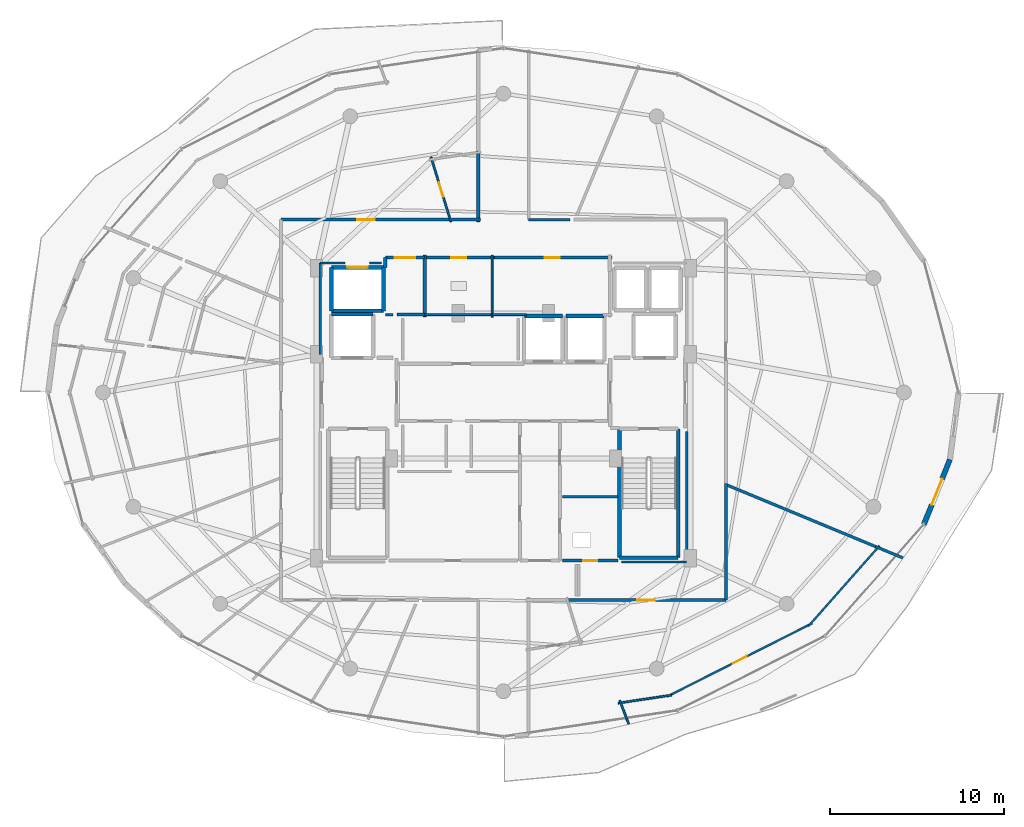
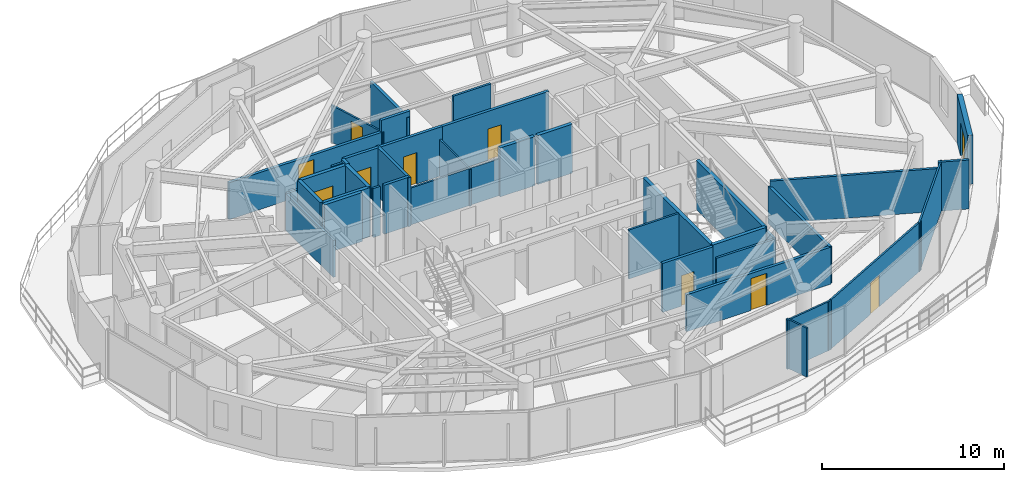
# One storey, part 24 of 30: 41 walls, 10 doors, 10 openings.
"""IFC4 building model written with IfcOpenShell, lengths in metres."""

from ifc_helpers import new_model, si_unit, direction, frame, frame_2d, origin, place, context, subcontext, project, spatial, rectangle, extrude, material, layer, layer_set, type_object, element, fill, save


model = new_model("IFC4")

# Units and contexts
model_context = context("Model", 3, precision=1e-05, world=origin(), true_north=direction((0.0, 1.0)))
body_context = subcontext(model_context, "Body", "Model", "MODEL_VIEW")
ifc_project = project(units=[si_unit("LENGTHUNIT", "METRE"), si_unit("AREAUNIT", "SQUARE_METRE"), si_unit("VOLUMEUNIT", "CUBIC_METRE"), si_unit("PLANEANGLEUNIT", "RADIAN"), si_unit("MASSUNIT", "GRAM", prefix="KILO")], contexts=[model_context])

# Site, building, storey
site_placement = place(None, origin())
site = spatial("IfcSite", under=ifc_project, at=site_placement, CompositionType="ELEMENT")
building_placement = place(site_placement, origin())
building = spatial("IfcBuilding", under=site, at=building_placement, Name="Vorneva Point Tower", CompositionType="ELEMENT")
storey_placement = place(building_placement, frame((0.0, 0.0, 241.35009765625)))
storey = spatial("IfcBuildingStorey", under=building, at=storey_placement, Name="L65", CompositionType="ELEMENT", Elevation=241.35009765625)

# Wall
ifc_material_1 = material(Name="Concrete B60 (C50/60)", Category="concrete")
ifc_layer_1 = layer(ifc_material_1, 0.35009765625)
ifc_layer_set_1 = layer_set([ifc_layer_1], Name="Concrete B60 (C50/60)")
wall_type_1 = type_object("IfcWallType", Name="WL-CORE-350", PredefinedType="SHEAR", material=ifc_layer_set_1)
wall_1_placement = place(storey_placement, frame((30.5, 30.5, 0.0), z_axis=(0.0, 0.0, 1.0), x_axis=(-1.0, 0.0, 0.0)))
element("IfcWall", 1, at=wall_1_placement, inside=storey, type_object=wall_type_1, Name="L65 Lift FFL1 Shaft Wall +Y", PredefinedType="SHEAR", context=body_context, shape_type="SweptSolid", body=[
    extrude(rectangle(XDim=2.39990234375, YDim=0.219970703125, at=frame_2d((1.199951171875, 0.0))), origin(), (0.0, 0.0, 1.0), 3.289794921875),
])

# Wall, opening, door
ifc_material_2 = material(Name="Precast concrete B50 (C40/50)", Category="concrete")
ifc_layer_2 = layer(ifc_material_2, 0.300048828125)
ifc_layer_set_2 = layer_set([ifc_layer_2], Name="Precast concrete B50 (C40/50)")
wall_type_2 = type_object("IfcWallType", Name="WL-EXT-300", PredefinedType="STANDARD", material=ifc_layer_set_2)
wall_2_placement = place(storey_placement, frame((62.20556640625, 18.4189453125, 0.0), z_axis=(0.0, 0.0, 1.0), x_axis=(0.37234708598, 0.928093555393, 0.0)))
wall_2 = element("IfcWall", 2, at=wall_2_placement, inside=storey, type_object=wall_type_2, Name="L65 Pale-Metal Facade Spandrel Wall 16.1", PredefinedType="STANDARD", context=body_context, shape_type="SweptSolid", body=[
    extrude(rectangle(XDim=4.004150390625, YDim=0.300048828125, at=frame_2d((2.001953125, 0.0))), origin(), (0.0, 0.0, 1.0), 3.289794921875),
])
opening_1_placement = place(wall_2_placement, frame((1.2021484375, 0.0, 0.0)))
opening_1 = element("IfcOpeningElement", 3, at=opening_1_placement, cuts=wall_2, Name="Opening BD-01", PredefinedType="OPENING", context=body_context, shape_type="SweptSolid", body=[
    extrude(rectangle(XDim=1.60009765625, YDim=2.300048828125, at=frame_2d((0.800048828125, 1.14990234375))), frame((0.0, 0.1650390625, 0.0), z_axis=(0.0, -1.0, 0.0), x_axis=(1.0, 0.0, 0.0)), (0.0, 0.0, 1.0), 0.329833984375),
])
ifc_material_3 = material(Name="Pale anodised aluminium", Category="aluminium")
door_type_1 = type_object("IfcDoorType", Name="DR-BAL-1600", OperationType="SLIDING_TO_LEFT", PredefinedType="DOOR", material=ifc_material_3)
door_1_placement = place(opening_1_placement, origin())
door_1 = element("IfcDoor", 4, at=door_1_placement, inside=storey, type_object=door_type_1, Name="L65 Balcony Terrace Access Door 16", OperationType="SLIDING_TO_LEFT", OverallHeight=2.300048828125, OverallWidth=1.60009765625, PredefinedType="DOOR", context=body_context, shape_type="SweptSolid", body=[
    extrude(rectangle(XDim=1.60009765625, YDim=2.300048828125, at=frame_2d((0.800048828125, 1.14990234375))), frame((0.0, 0.02490234375, 0.0), z_axis=(0.0, -1.0, 0.0), x_axis=(1.0, 0.0, 0.0)), (0.0, 0.0, 1.0), 0.050048828125),
])
fill(opening_1, door_1)

# Walls
ifc_material_4 = material(Name="Fire-rated acoustic gypsum stud partition", Category="gypsum")
ifc_layer_3 = layer(ifc_material_4, 0.110107421875)
ifc_layer_set_3 = layer_set([ifc_layer_3], Name="Fire-rated acoustic gypsum stud partition")
wall_type_3 = type_object("IfcWallType", Name="WL-PART-110", PredefinedType="PARTITIONING", material=ifc_layer_set_3)
wall_3_placement = place(storey_placement, frame((37.35009765625, 30.340087890625, 0.0), z_axis=(0.0, 0.0, 1.0), x_axis=(0.0, 1.0, 0.0)))
element("IfcWall", 5, at=wall_3_placement, inside=storey, type_object=wall_type_3, Name="L65 Interior Partition 022", PredefinedType="PARTITIONING", context=body_context, shape_type="SweptSolid", body=[
    extrude(rectangle(XDim=3.559814453125, YDim=0.110107421875, at=frame_2d((1.77978515625, 0.0))), origin(), (0.0, 0.0, 1.0), 2.48193359375),
])
wall_4_placement = place(storey_placement, frame((33.360107421875, 30.47998046875, 0.0), z_axis=(0.0, 0.0, 1.0), x_axis=(1.0, 0.0, 0.0)))
element("IfcWall", 6, at=wall_4_placement, inside=storey, type_object=wall_type_3, Name="L65 Interior Partition 023", PredefinedType="PARTITIONING", context=body_context, shape_type="SweptSolid", body=[
    extrude(rectangle(XDim=4.114990234375, YDim=0.110107421875, at=frame_2d((2.0576171875, 0.0))), origin(), (0.0, 0.0, 1.0), 2.48193359375),
])
wall_5_placement = place(storey_placement, frame((37.364990234375, 30.47998046875, 0.0), z_axis=(0.0, 0.0, 1.0), x_axis=(1.0, 0.0, 0.0)))
element("IfcWall", 7, at=wall_5_placement, inside=storey, type_object=wall_type_3, Name="L65 Interior Partition 025", PredefinedType="PARTITIONING", context=body_context, shape_type="SweptSolid", body=[
    extrude(rectangle(XDim=1.955078125, YDim=0.110107421875, at=frame_2d((0.9775390625, 0.0))), origin(), (0.0, 0.0, 1.0), 2.48193359375),
])

# Wall, opening, door
wall_6_placement = place(storey_placement, frame((34.980224609375, 35.816162109375, 0.0), z_axis=(0.0, 0.0, 1.0), x_axis=(-0.29406827714, 0.955784415221, 0.0)))
wall_6 = element("IfcWall", 8, at=wall_6_placement, inside=storey, type_object=wall_type_3, Name="L65 Interior Partition 054", PredefinedType="PARTITIONING", context=body_context, shape_type="SweptSolid", body=[
    extrude(rectangle(XDim=3.9052734375, YDim=0.110107421875, at=frame_2d((1.95263671875, 0.0))), origin(), (0.0, 0.0, 1.0), 2.48193359375),
])
opening_2_placement = place(wall_6_placement, frame((1.527587890625, 0.0, 0.0)))
opening_2 = element("IfcOpeningElement", 9, at=opening_2_placement, cuts=wall_6, Name="Opening ID-02", PredefinedType="OPENING", context=body_context, shape_type="SweptSolid", body=[
    extrude(rectangle(XDim=0.85009765625, YDim=2.10009765625, at=frame_2d((0.425048828125, 1.050048828125))), frame((0.0, 0.06982421875, 0.0), z_axis=(0.0, -1.0, 0.0), x_axis=(1.0, 0.0, 0.0)), (0.0, 0.0, 1.0), 0.139892578125),
])
ifc_material_5 = material(Name="Engineered oak fire-rated door leaf", Category="wood")
door_type_2 = type_object("IfcDoorType", Name="DR-BATH-850", OperationType="NOTDEFINED", PredefinedType="DOOR", material=ifc_material_5)
door_2_placement = place(opening_2_placement, origin())
door_2 = element("IfcDoor", 10, at=door_2_placement, inside=storey, type_object=door_type_2, Name="L65 Door Studio Apartment L65-01 / Bathroom L65-01", OperationType="SINGLE_SWING_LEFT", OverallHeight=2.10009765625, OverallWidth=0.85009765625, PredefinedType="DOOR", context=body_context, shape_type="SweptSolid", body=[
    extrude(rectangle(XDim=0.85009765625, YDim=2.10009765625, at=frame_2d((0.425048828125, 1.050048828125))), frame((0.0, 0.02490234375, 0.0), z_axis=(0.0, -1.0, 0.0), x_axis=(1.0, 0.0, 0.0)), (0.0, 0.0, 1.0), 0.050048828125),
])
fill(opening_2, door_2)

# Wall
wall_7_placement = place(storey_placement, frame((44.610595703125, 8.1181640625, 0.0), z_axis=(0.0, 0.0, 1.0), x_axis=(0.988858596585, 0.148857905265, 0.0)))
element("IfcWall", 11, at=wall_7_placement, inside=storey, type_object=wall_type_3, Name="L65 Interior Partition 085", PredefinedType="PARTITIONING", context=body_context, shape_type="SweptSolid", body=[
    extrude(rectangle(XDim=3.114501953125, YDim=0.110107421875, at=frame_2d((1.55712890625, 0.0))), origin(), (0.0, 0.0, 1.0), 3.289794921875),
])

# Wall, opening, door
wall_8_placement = place(storey_placement, frame((47.427001953125, 8.497802734375, 0.0), z_axis=(0.0, 0.0, 1.0), x_axis=(0.892502876412, 0.451041700507, 0.0)))
wall_8 = element("IfcWall", 12, at=wall_8_placement, inside=storey, type_object=wall_type_3, Name="L65 Interior Partition 086", PredefinedType="PARTITIONING", context=body_context, shape_type="SweptSolid", body=[
    extrude(rectangle(XDim=9.352294921875, YDim=0.110107421875, at=frame_2d((4.67626953125, 0.0))), origin(), (0.0, 0.0, 1.0), 3.289794921875),
])
opening_3_placement = place(wall_8_placement, frame((4.226318359375, 0.0, 0.0)))
opening_3 = element("IfcOpeningElement", 13, at=opening_3_placement, cuts=wall_8, Name="Opening ID-01", PredefinedType="OPENING", context=body_context, shape_type="SweptSolid", body=[
    extrude(rectangle(XDim=0.89990234375, YDim=2.10009765625, at=frame_2d((0.449951171875, 1.050048828125))), frame((0.0, 0.06982421875, 0.0), z_axis=(0.0, -1.0, 0.0), x_axis=(1.0, 0.0, 0.0)), (0.0, 0.0, 1.0), 0.139892578125),
])
door_type_3 = type_object("IfcDoorType", Name="DR-ROOM-900", OperationType="NOTDEFINED", PredefinedType="DOOR", material=ifc_material_5)
door_3_placement = place(opening_3_placement, origin())
door_3 = element("IfcDoor", 14, at=door_3_placement, inside=storey, type_object=door_type_3, Name="L65 Door Studio Apartment L65-03 / Kitchen L65-03", OperationType="SINGLE_SWING_LEFT", OverallHeight=2.10009765625, OverallWidth=0.89990234375, PredefinedType="DOOR", context=body_context, shape_type="SweptSolid", body=[
    extrude(rectangle(XDim=0.89990234375, YDim=2.10009765625, at=frame_2d((0.449951171875, 1.050048828125))), frame((0.0, 0.02490234375, 0.0), z_axis=(0.0, -1.0, 0.0), x_axis=(1.0, 0.0, 0.0)), (0.0, 0.0, 1.0), 0.050048828125),
])
fill(opening_3, door_3)

# Walls
wall_9_placement = place(storey_placement, frame((55.556396484375, 12.548095703125, 0.0), z_axis=(0.0, 0.0, 1.0), x_axis=(0.662167862663, 0.749355537549, 0.0)))
element("IfcWall", 15, at=wall_9_placement, inside=storey, type_object=wall_type_3, Name="L65 Interior Partition 087", PredefinedType="PARTITIONING", context=body_context, shape_type="SweptSolid", body=[
    extrude(rectangle(XDim=6.17724609375, YDim=0.110107421875, at=frame_2d((3.088623046875, 0.0))), origin(), (0.0, 0.0, 1.0), 3.289794921875),
])
wall_10_placement = place(storey_placement, frame((45.21337890625, 6.9111328125, 0.0), z_axis=(0.0, 0.0, 1.0), x_axis=(-0.353737146492, 0.935344872863, 0.0)))
element("IfcWall", 16, at=wall_10_placement, inside=storey, type_object=wall_type_3, Name="L65 Interior Partition 088", PredefinedType="PARTITIONING", context=body_context, shape_type="SweptSolid", body=[
    extrude(rectangle(XDim=1.452880859375, YDim=0.110107421875, at=frame_2d((0.7265625, 0.0))), origin(), (0.0, 0.0, 1.0), 3.289794921875),
])
ifc_layer_4 = layer(ifc_material_4, 0.125)
ifc_layer_set_4 = layer_set([ifc_layer_4], Name="Fire-rated acoustic gypsum stud partition")
wall_type_4 = type_object("IfcWallType", Name="WL-PART-125", PredefinedType="PARTITIONING", material=ifc_layer_set_4)
wall_11_placement = place(storey_placement, frame((44.60009765625, 20.0, 0.0), z_axis=(0.0, 0.0, 1.0), x_axis=(-1.0, 0.0, 0.0)))
element("IfcWall", 17, at=wall_11_placement, inside=storey, type_object=wall_type_4, Name="L65 Interior Partition 020", PredefinedType="PARTITIONING", context=body_context, shape_type="SweptSolid", body=[
    extrude(rectangle(XDim=3.2001953125, YDim=0.125, at=frame_2d((1.60009765625, 0.0))), origin(), (0.0, 0.0, 1.0), 3.289794921875),
])
ifc_layer_5 = layer(ifc_material_4, 0.139892578125)
ifc_layer_set_5 = layer_set([ifc_layer_5], Name="Fire-rated acoustic gypsum stud partition")
wall_type_5 = type_object("IfcWallType", Name="WL-PART-140", PredefinedType="PARTITIONING", material=ifc_layer_set_5)
wall_12_placement = place(storey_placement, frame((31.199951171875, 30.47998046875, 0.0), z_axis=(0.0, 0.0, 1.0), x_axis=(1.0, 0.0, 0.0)))
element("IfcWall", 18, at=wall_12_placement, inside=storey, type_object=wall_type_5, Name="L65 Interior Closure Partition 093", PredefinedType="PARTITIONING", context=body_context, shape_type="SweptSolid", body=[
    extrude(rectangle(XDim=0.449951171875, YDim=0.139892578125, at=frame_2d((0.22509765625, 0.0))), origin(), (0.0, 0.0, 1.0), 3.289794921875),
])
wall_13_placement = place(storey_placement, frame((41.841064453125, 35.949951171875, 0.0), z_axis=(0.0, 0.0, 1.0), x_axis=(-1.0, 0.0, 0.0)))
element("IfcWall", 19, at=wall_13_placement, inside=storey, type_object=wall_type_5, Name="L65 Interior Closure Partition 103", PredefinedType="PARTITIONING", context=body_context, shape_type="SweptSolid", body=[
    extrude(rectangle(XDim=2.39111328125, YDim=0.139892578125, at=frame_2d((1.195556640625, 0.0))), origin(), (0.0, 0.0, 1.0), 3.289794921875),
])
wall_14_placement = place(storey_placement, frame((44.804931640625, 16.239990234375, 0.0), z_axis=(0.0, 0.0, 1.0), x_axis=(1.0, 0.0, 0.0)))
element("IfcWall", 20, at=wall_14_placement, inside=storey, type_object=wall_type_5, Name="L65 Interior Closure Partition 106", PredefinedType="PARTITIONING", context=body_context, shape_type="SweptSolid", body=[
    extrude(rectangle(XDim=3.7451171875, YDim=0.139892578125, at=frame_2d((1.87255859375, 0.0))), origin(), (0.0, 0.0, 1.0), 2.48193359375),
])
wall_15_placement = place(storey_placement, frame((48.550048828125, 16.239990234375, 0.0), z_axis=(0.0, 0.0, 1.0), x_axis=(0.0, 1.0, 0.0)))
element("IfcWall", 21, at=wall_15_placement, inside=storey, type_object=wall_type_5, Name="L65 Interior Closure Partition 107", PredefinedType="PARTITIONING", context=body_context, shape_type="SweptSolid", body=[
    extrude(rectangle(XDim=7.513916015625, YDim=0.139892578125, at=frame_2d((3.7568359375, 0.0))), origin(), (0.0, 0.0, 1.0), 2.48193359375),
])
wall_16_placement = place(storey_placement, frame((30.97998046875, 33.449951171875, 0.0), z_axis=(0.0, 0.0, 1.0), x_axis=(-1.0, 0.0, 0.0)))
element("IfcWall", 22, at=wall_16_placement, inside=storey, type_object=wall_type_5, Name="L65 Interior Closure Partition 110", PredefinedType="PARTITIONING", context=body_context, shape_type="SweptSolid", body=[
    extrude(rectangle(XDim=0.674072265625, YDim=0.139892578125, at=frame_2d((0.3369140625, 0.0))), origin(), (0.0, 0.0, 1.0), 3.289794921875),
])
wall_17_placement = place(storey_placement, frame((28.89404296875, 33.449951171875, 0.0), z_axis=(0.0, 0.0, 1.0), x_axis=(-1.0, 0.0, 0.0)))
element("IfcWall", 23, at=wall_17_placement, inside=storey, type_object=wall_type_5, Name="L65 Interior Closure Partition 111", PredefinedType="PARTITIONING", context=body_context, shape_type="SweptSolid", body=[
    extrude(rectangle(XDim=1.444091796875, YDim=0.139892578125, at=frame_2d((0.72216796875, 0.0))), origin(), (0.0, 0.0, 1.0), 2.48193359375),
])
wall_18_placement = place(storey_placement, frame((27.449951171875, 33.449951171875, 0.0), z_axis=(0.0, 0.0, 1.0), x_axis=(0.0, -1.0, 0.0)))
element("IfcWall", 24, at=wall_18_placement, inside=storey, type_object=wall_type_5, Name="L65 Interior Closure Partition 112", PredefinedType="PARTITIONING", context=body_context, shape_type="SweptSolid", body=[
    extrude(rectangle(XDim=5.25390625, YDim=0.139892578125, at=frame_2d((2.626953125, 0.0))), origin(), (0.0, 0.0, 1.0), 2.48193359375),
])
ifc_layer_6 = layer(ifc_material_4, 0.159912109375)
ifc_layer_set_6 = layer_set([ifc_layer_6], Name="Fire-rated acoustic gypsum stud partition")
wall_type_6 = type_object("IfcWallType", Name="WL-PART-160", PredefinedType="PARTITIONING", material=ifc_layer_set_6)
wall_19_placement = place(storey_placement, frame((59.553955078125, 17.072021484375, 0.0), z_axis=(0.0, 0.0, 1.0), x_axis=(-0.923879910499, 0.382682519822, 0.0)))
element("IfcWall", 25, at=wall_19_placement, inside=storey, type_object=wall_type_6, Name="L65 Interior Partition 089", PredefinedType="PARTITIONING", context=body_context, shape_type="SweptSolid", body=[
    extrude(rectangle(XDim=9.47509765625, YDim=0.159912109375, at=frame_2d((4.737548828125, 0.0))), origin(), (0.0, 0.0, 1.0), 2.8740234375),
])
wall_20_placement = place(storey_placement, frame((60.996337890625, 16.474365234375, 0.0), z_axis=(0.0, 0.0, 1.0), x_axis=(-0.923843638485, 0.382770076719, 0.0)))
element("IfcWall", 26, at=wall_20_placement, inside=storey, type_object=wall_type_6, Name="L65 Interior Partition 090", PredefinedType="PARTITIONING", context=body_context, shape_type="SweptSolid", body=[
    extrude(rectangle(XDim=1.701171875, YDim=0.159912109375, at=frame_2d((0.8505859375, 0.0))), origin(), (0.0, 0.0, 1.0), 3.289794921875),
])
ifc_material_6 = material(Name="Autoclaved aerated concrete blockwork", Category="masonry")
ifc_layer_7 = layer(ifc_material_6, 0.179931640625)
ifc_layer_set_7 = layer_set([ifc_layer_7], Name="Autoclaved aerated concrete blockwork")
wall_type_7 = type_object("IfcWallType", Name="WL-PART-180", PredefinedType="PARTITIONING", material=ifc_layer_set_7)
wall_21_placement = place(storey_placement, frame((33.469970703125, 30.340087890625, 0.0), z_axis=(0.0, 0.0, 1.0), x_axis=(0.0, 1.0, 0.0)))
element("IfcWall", 27, at=wall_21_placement, inside=storey, type_object=wall_type_7, Name="L65 Interior Partition 006", PredefinedType="PARTITIONING", context=body_context, shape_type="SweptSolid", body=[
    extrude(rectangle(XDim=3.559814453125, YDim=0.179931640625, at=frame_2d((1.77978515625, 0.0))), origin(), (0.0, 0.0, 1.0), 3.289794921875),
])
wall_22_placement = place(storey_placement, frame((31.8701171875, 30.47998046875, 0.0), z_axis=(0.0, 0.0, 1.0), x_axis=(1.0, 0.0, 0.0)))
element("IfcWall", 28, at=wall_22_placement, inside=storey, type_object=wall_type_7, Name="L65 Interior Partition 007", PredefinedType="PARTITIONING", context=body_context, shape_type="SweptSolid", body=[
    extrude(rectangle(XDim=1.599853515625, YDim=0.179931640625, at=frame_2d((0.7998046875, 0.0))), origin(), (0.0, 0.0, 1.0), 3.289794921875),
])

# Wall, opening, door
wall_23_placement = place(storey_placement, frame((33.469970703125, 33.760009765625, 0.0), z_axis=(0.0, 0.0, 1.0), x_axis=(-1.0, 0.0, 0.0)))
wall_23 = element("IfcWall", 29, at=wall_23_placement, inside=storey, type_object=wall_type_7, Name="L65 Interior Partition 008", PredefinedType="PARTITIONING", context=body_context, shape_type="SweptSolid", body=[
    extrude(rectangle(XDim=2.27001953125, YDim=0.179931640625, at=frame_2d((1.135009765625, 0.0))), origin(), (0.0, 0.0, 1.0), 3.289794921875),
])
opening_4_placement = place(wall_23_placement, frame((0.534912109375, 0.0, 0.0)))
opening_4 = element("IfcOpeningElement", 30, at=opening_4_placement, cuts=wall_23, Name="Opening FD-02", PredefinedType="OPENING", context=body_context, shape_type="SweptSolid", body=[
    extrude(rectangle(XDim=1.199951171875, YDim=2.14990234375, at=frame_2d((0.60009765625, 1.074951171875))), frame((0.0, 0.10498046875, 0.0), z_axis=(0.0, -1.0, 0.0), x_axis=(1.0, 0.0, 0.0)), (0.0, 0.0, 1.0), 0.209716796875),
])
ifc_material_7 = material(Name="Fire-rated powder-coated steel", Category="steel")
door_type_4 = type_object("IfcDoorType", Name="DR-FFL-1200", OperationType="NOTDEFINED", PredefinedType="DOOR", material=ifc_material_7)
door_4_placement = place(opening_4_placement, origin())
door_4 = element("IfcDoor", 31, at=door_4_placement, inside=storey, type_object=door_type_4, Name="L65 Door Service Lift Lobby / L65 Circulation Corridor", OperationType="SINGLE_SWING_RIGHT", OverallHeight=2.14990234375, OverallWidth=1.199951171875, PredefinedType="DOOR", context=body_context, shape_type="SweptSolid", body=[
    extrude(rectangle(XDim=1.199951171875, YDim=2.14990234375, at=frame_2d((0.60009765625, 1.074951171875))), frame((0.0, 0.02490234375, 0.0), z_axis=(0.0, -1.0, 0.0), x_axis=(1.0, 0.0, 0.0)), (0.0, 0.0, 1.0), 0.050048828125),
])
fill(opening_4, door_4)

# Wall
wall_24_placement = place(storey_placement, frame((31.199951171875, 33.760009765625, 0.0), z_axis=(0.0, 0.0, 1.0), x_axis=(0.0, -1.0, 0.0)))
element("IfcWall", 32, at=wall_24_placement, inside=storey, type_object=wall_type_7, Name="L65 Interior Partition 009", PredefinedType="PARTITIONING", context=body_context, shape_type="SweptSolid", body=[
    extrude(rectangle(XDim=0.56005859375, YDim=0.179931640625, at=frame_2d((0.280029296875, 0.0))), origin(), (0.0, 0.0, 1.0), 3.289794921875),
])

# Wall, opening, door
wall_25_placement = place(storey_placement, frame((41.39990234375, 16.320068359375, 0.0), z_axis=(0.0, 0.0, 1.0), x_axis=(1.0, 0.0, 0.0)))
wall_25 = element("IfcWall", 33, at=wall_25_placement, inside=storey, type_object=wall_type_7, Name="L65 Interior Partition 021", PredefinedType="PARTITIONING", context=body_context, shape_type="SweptSolid", body=[
    extrude(rectangle(XDim=3.2001953125, YDim=0.179931640625, at=frame_2d((1.60009765625, 0.0))), origin(), (0.0, 0.0, 1.0), 3.289794921875),
])
opening_5_placement = place(wall_25_placement, frame((1.199951171875, 0.0, 0.0)))
opening_5 = element("IfcOpeningElement", 34, at=opening_5_placement, cuts=wall_25, Name="Opening RD-01", PredefinedType="OPENING", context=body_context, shape_type="SweptSolid", body=[
    extrude(rectangle(XDim=0.800048828125, YDim=2.050048828125, at=frame_2d((0.39990234375, 1.02490234375))), frame((0.0, 0.10498046875, 0.0), z_axis=(0.0, -1.0, 0.0), x_axis=(1.0, 0.0, 0.0)), (0.0, 0.0, 1.0), 0.209716796875),
])
door_type_5 = type_object("IfcDoorType", Name="DR-RSR-800", OperationType="SINGLE_SWING_LEFT", PredefinedType="DOOR", material=ifc_material_7)
door_5_placement = place(opening_5_placement, origin())
door_5 = element("IfcDoor", 35, at=door_5_placement, inside=storey, type_object=door_type_5, Name="L65 Door Electrical Riser / L65 Circulation Corridor", OperationType="SINGLE_SWING_LEFT", OverallHeight=2.050048828125, OverallWidth=0.800048828125, PredefinedType="DOOR", context=body_context, shape_type="SweptSolid", body=[
    extrude(rectangle(XDim=0.800048828125, YDim=2.050048828125, at=frame_2d((0.39990234375, 1.02490234375))), frame((0.0, 0.02490234375, 0.0), z_axis=(0.0, -1.0, 0.0), x_axis=(1.0, 0.0, 0.0)), (0.0, 0.0, 1.0), 0.050048828125),
])
fill(opening_5, door_5)

wall_26_placement = place(storey_placement, frame((37.489990234375, 33.760009765625, 0.0), z_axis=(0.0, 0.0, 1.0), x_axis=(-1.0, 0.0, 0.0)))
wall_26 = element("IfcWall", 36, at=wall_26_placement, inside=storey, type_object=wall_type_7, Name="L65 Interior Partition 024", PredefinedType="PARTITIONING", context=body_context, shape_type="SweptSolid", body=[
    extrude(rectangle(XDim=4.1298828125, YDim=0.179931640625, at=frame_2d((2.06494140625, 0.0))), origin(), (0.0, 0.0, 1.0), 3.289794921875),
])
opening_6_placement = place(wall_26_placement, frame((1.639892578125, 0.0, 0.0)))
opening_6 = element("IfcOpeningElement", 37, at=opening_6_placement, cuts=wall_26, Name="Opening ID-02", PredefinedType="OPENING", context=body_context, shape_type="SweptSolid", body=[
    extrude(rectangle(XDim=0.85009765625, YDim=2.10009765625, at=frame_2d((0.425048828125, 1.050048828125))), frame((0.0, 0.10498046875, 0.0), z_axis=(0.0, -1.0, 0.0), x_axis=(1.0, 0.0, 0.0)), (0.0, 0.0, 1.0), 0.209716796875),
])
door_6_placement = place(opening_6_placement, origin())
door_6 = element("IfcDoor", 38, at=door_6_placement, inside=storey, type_object=door_type_2, Name="L65 Door Accessible WC / L65 Circulation Corridor", OperationType="SINGLE_SWING_RIGHT", OverallHeight=2.10009765625, OverallWidth=0.85009765625, PredefinedType="DOOR", context=body_context, shape_type="SweptSolid", body=[
    extrude(rectangle(XDim=0.85009765625, YDim=2.10009765625, at=frame_2d((0.425048828125, 1.050048828125))), frame((0.0, 0.02490234375, 0.0), z_axis=(0.0, -1.0, 0.0), x_axis=(1.0, 0.0, 0.0)), (0.0, 0.0, 1.0), 0.050048828125),
])
fill(opening_6, door_6)

wall_27_placement = place(storey_placement, frame((44.260009765625, 33.760009765625, 0.0), z_axis=(0.0, 0.0, 1.0), x_axis=(-1.0, 0.0, 0.0)))
wall_27 = element("IfcWall", 39, at=wall_27_placement, inside=storey, type_object=wall_type_7, Name="L65 Interior Partition 026", PredefinedType="PARTITIONING", context=body_context, shape_type="SweptSolid", body=[
    extrude(rectangle(XDim=6.909912109375, YDim=0.179931640625, at=frame_2d((3.455078125, 0.0))), origin(), (0.0, 0.0, 1.0), 3.289794921875),
])
opening_7_placement = place(wall_27_placement, frame((3.030029296875, 0.0, 0.0)))
opening_7 = element("IfcOpeningElement", 40, at=opening_7_placement, cuts=wall_27, Name="Opening ID-02", PredefinedType="OPENING", context=body_context, shape_type="SweptSolid", body=[
    extrude(rectangle(XDim=0.85009765625, YDim=2.10009765625, at=frame_2d((0.425048828125, 1.050048828125))), frame((0.0, 0.10498046875, 0.0), z_axis=(0.0, -1.0, 0.0), x_axis=(1.0, 0.0, 0.0)), (0.0, 0.0, 1.0), 0.209716796875),
])
door_7_placement = place(opening_7_placement, origin())
door_7 = element("IfcDoor", 41, at=door_7_placement, inside=storey, type_object=door_type_2, Name="L65 Door Public Restroom / L65 Circulation Corridor", OperationType="SINGLE_SWING_LEFT", OverallHeight=2.10009765625, OverallWidth=0.85009765625, PredefinedType="DOOR", context=body_context, shape_type="SweptSolid", body=[
    extrude(rectangle(XDim=0.85009765625, YDim=2.10009765625, at=frame_2d((0.425048828125, 1.050048828125))), frame((0.0, 0.02490234375, 0.0), z_axis=(0.0, -1.0, 0.0), x_axis=(1.0, 0.0, 0.0)), (0.0, 0.0, 1.0), 0.050048828125),
])
fill(opening_7, door_7)

wall_28_placement = place(storey_placement, frame((34.9990234375, 35.949951171875, 0.0), z_axis=(0.0, 0.0, 1.0), x_axis=(-1.0, 0.0, 0.0)))
wall_28 = element("IfcWall", 42, at=wall_28_placement, inside=storey, type_object=wall_type_7, Name="L65 Interior Partition 033", PredefinedType="PARTITIONING", context=body_context, shape_type="SweptSolid", body=[
    extrude(rectangle(XDim=9.799072265625, YDim=0.179931640625, at=frame_2d((4.8994140625, 0.0))), origin(), (0.0, 0.0, 1.0), 2.48193359375),
])
opening_8_placement = place(wall_28_placement, frame((4.3994140625, 0.0, 0.0)))
opening_8 = element("IfcOpeningElement", 43, at=opening_8_placement, cuts=wall_28, Name="Opening UD-01", PredefinedType="OPENING", context=body_context, shape_type="SweptSolid", body=[
    extrude(rectangle(XDim=1.0, YDim=2.14990234375, at=frame_2d((0.5, 1.074951171875))), frame((0.0, 0.10498046875, 0.0), z_axis=(0.0, -1.0, 0.0), x_axis=(1.0, 0.0, 0.0)), (0.0, 0.0, 1.0), 0.209716796875),
])
door_type_6 = type_object("IfcDoorType", Name="DR-UNIT-1000", OperationType="NOTDEFINED", PredefinedType="DOOR", material=ifc_material_5)
door_8_placement = place(opening_8_placement, origin())
door_8 = element("IfcDoor", 44, at=door_8_placement, inside=storey, type_object=door_type_6, Name="L65 Door L65 Circulation Corridor / Studio Apartment L65-01", OperationType="SINGLE_SWING_LEFT", OverallHeight=2.14990234375, OverallWidth=1.0, PredefinedType="DOOR", context=body_context, shape_type="SweptSolid", body=[
    extrude(rectangle(XDim=1.0, YDim=2.14990234375, at=frame_2d((0.5, 1.074951171875))), frame((0.0, 0.02490234375, 0.0), z_axis=(0.0, -1.0, 0.0), x_axis=(1.0, 0.0, 0.0)), (0.0, 0.0, 1.0), 0.050048828125),
])
fill(opening_8, door_8)

# Walls
wall_29_placement = place(storey_placement, frame((36.550048828125, 39.89697265625, 0.0), z_axis=(0.0, 0.0, 1.0), x_axis=(0.0, -1.0, 0.0)))
element("IfcWall", 45, at=wall_29_placement, inside=storey, type_object=wall_type_7, Name="L65 Interior Partition 035", PredefinedType="PARTITIONING", context=body_context, shape_type="SweptSolid", body=[
    extrude(rectangle(XDim=4.0869140625, YDim=0.179931640625, at=frame_2d((2.04345703125, 0.0))), origin(), (0.0, 0.0, 1.0), 2.923828125),
])
wall_30_placement = place(storey_placement, frame((36.68994140625, 35.949951171875, 0.0), z_axis=(0.0, 0.0, 1.0), x_axis=(-1.0, 0.0, 0.0)))
element("IfcWall", 46, at=wall_30_placement, inside=storey, type_object=wall_type_7, Name="L65 Interior Partition 036", PredefinedType="PARTITIONING", context=body_context, shape_type="SweptSolid", body=[
    extrude(rectangle(XDim=1.8310546875, YDim=0.179931640625, at=frame_2d((0.91552734375, 0.0))), origin(), (0.0, 0.0, 1.0), 3.289794921875),
])

# Wall, opening, door
wall_31_placement = place(storey_placement, frame((41.615966796875, 14.050048828125, 0.0), z_axis=(0.0, 0.0, 1.0), x_axis=(1.0, 0.0, 0.0)))
wall_31 = element("IfcWall", 47, at=wall_31_placement, inside=storey, type_object=wall_type_7, Name="L65 Interior Partition 048", PredefinedType="PARTITIONING", context=body_context, shape_type="SweptSolid", body=[
    extrude(rectangle(XDim=9.18408203125, YDim=0.179931640625, at=frame_2d((4.592041015625, 0.0))), origin(), (0.0, 0.0, 1.0), 2.48193359375),
])
opening_9_placement = place(wall_31_placement, frame((4.092041015625, 0.0, 0.0)))
opening_9 = element("IfcOpeningElement", 48, at=opening_9_placement, cuts=wall_31, Name="Opening UD-01", PredefinedType="OPENING", context=body_context, shape_type="SweptSolid", body=[
    extrude(rectangle(XDim=1.0, YDim=2.14990234375, at=frame_2d((0.5, 1.074951171875))), frame((0.0, 0.10498046875, 0.0), z_axis=(0.0, -1.0, 0.0), x_axis=(1.0, 0.0, 0.0)), (0.0, 0.0, 1.0), 0.209716796875),
])
door_9_placement = place(opening_9_placement, origin())
door_9 = element("IfcDoor", 49, at=door_9_placement, inside=storey, type_object=door_type_6, Name="L65 Door L65 Circulation Corridor / Studio Apartment L65-03", OperationType="SINGLE_SWING_LEFT", OverallHeight=2.14990234375, OverallWidth=1.0, PredefinedType="DOOR", context=body_context, shape_type="SweptSolid", body=[
    extrude(rectangle(XDim=1.0, YDim=2.14990234375, at=frame_2d((0.5, 1.074951171875))), frame((0.0, 0.02490234375, 0.0), z_axis=(0.0, -1.0, 0.0), x_axis=(1.0, 0.0, 0.0)), (0.0, 0.0, 1.0), 0.050048828125),
])
fill(opening_9, door_9)

# Walls
wall_32_placement = place(storey_placement, frame((50.800048828125, 14.050048828125, 0.0), z_axis=(0.0, 0.0, 1.0), x_axis=(0.0, 1.0, 0.0)))
element("IfcWall", 50, at=wall_32_placement, inside=storey, type_object=wall_type_7, Name="L65 Interior Partition 049", PredefinedType="PARTITIONING", context=body_context, shape_type="SweptSolid", body=[
    extrude(rectangle(XDim=6.7080078125, YDim=0.179931640625, at=frame_2d((3.35400390625, 0.0))), origin(), (0.0, 0.0, 1.0), 2.48193359375),
])
ifc_material_8 = material(Name="Concrete B50 (C40/50)", Category="concrete")
ifc_layer_8 = layer(ifc_material_8, 0.219970703125)
ifc_layer_set_8 = layer_set([ifc_layer_8], Name="Concrete B50 (C40/50)")
wall_type_8 = type_object("IfcWallType", Name="WL-SHFT-220", PredefinedType="SOLIDWALL", material=ifc_layer_set_8)
wall_33_placement = place(storey_placement, frame((48.06005859375, 23.909912109375, 0.0), z_axis=(0.0, 0.0, 1.0), x_axis=(0.0, -1.0, 0.0)))
element("IfcWall", 51, at=wall_33_placement, inside=storey, type_object=wall_type_8, Name="L65 Exit Stair ST2 Shaft Wall right", PredefinedType="SOLIDWALL", context=body_context, shape_type="SweptSolid", body=[
    extrude(rectangle(XDim=7.419921875, YDim=0.219970703125, at=frame_2d((3.7099609375, 0.0))), origin(), (0.0, 0.0, 1.0), 3.289794921875),
])
wall_34_placement = place(storey_placement, frame((48.06005859375, 16.489990234375, 0.0), z_axis=(0.0, 0.0, 1.0), x_axis=(-1.0, 0.0, 0.0)))
element("IfcWall", 52, at=wall_34_placement, inside=storey, type_object=wall_type_8, Name="L65 Exit Stair ST2 Shaft Wall far", PredefinedType="SOLIDWALL", context=body_context, shape_type="SweptSolid", body=[
    extrude(rectangle(XDim=3.3701171875, YDim=0.219970703125, at=frame_2d((1.68505859375, 0.0))), origin(), (0.0, 0.0, 1.0), 3.289794921875),
])
wall_35_placement = place(storey_placement, frame((44.68994140625, 16.489990234375, 0.0), z_axis=(0.0, 0.0, 1.0), x_axis=(0.0, 1.0, 0.0)))
element("IfcWall", 53, at=wall_35_placement, inside=storey, type_object=wall_type_8, Name="L65 Exit Stair ST2 Shaft Wall left", PredefinedType="SOLIDWALL", context=body_context, shape_type="SweptSolid", body=[
    extrude(rectangle(XDim=7.419921875, YDim=0.219970703125, at=frame_2d((3.7099609375, 0.0))), origin(), (0.0, 0.0, 1.0), 3.289794921875),
])
for number, where, z_axis, x_axis, name in (
    (54, (41.39990234375, 30.39990234375, 0.0), (0.0, 0.0, 1.0), (-1.0, 0.0, 0.0), "L65 Lift PL7 Shaft Wall +Y"),
    (55, (43.800048828125, 30.39990234375, 0.0), (0.0, 0.0, 1.0), (-1.0, 0.0, 0.0), "L65 Lift PL8 Shaft Wall +Y"),
):
    element("IfcWall", number, at=place(storey_placement, frame(where, z_axis=z_axis, x_axis=x_axis)), inside=storey, type_object=wall_type_8, Name=name, PredefinedType="SOLIDWALL", context=body_context, shape_type="SweptSolid", body=[
        extrude(rectangle(XDim=2.199951171875, YDim=0.219970703125, at=frame_2d((1.10009765625, 0.0))), origin(), (0.0, 0.0, 1.0), 3.289794921875),
    ])
wall_36_placement = place(storey_placement, frame((28.10009765625, 30.699951171875, 0.0), z_axis=(0.0, 0.0, 1.0), x_axis=(1.0, 0.0, 0.0)))
element("IfcWall", 56, at=wall_36_placement, inside=storey, type_object=wall_type_8, Name="L65 Lift SVL1 Shaft Wall -Y", PredefinedType="SOLIDWALL", context=body_context, shape_type="SweptSolid", body=[
    extrude(rectangle(XDim=3.0, YDim=0.219970703125, at=frame_2d((1.5, 0.0))), origin(), (0.0, 0.0, 1.0), 3.289794921875),
])
wall_37_placement = place(storey_placement, frame((31.10009765625, 30.699951171875, 0.0), z_axis=(0.0, 0.0, 1.0), x_axis=(0.0, 1.0, 0.0)))
element("IfcWall", 57, at=wall_37_placement, inside=storey, type_object=wall_type_8, Name="L65 Lift SVL1 Shaft Wall +X", PredefinedType="SOLIDWALL", context=body_context, shape_type="SweptSolid", body=[
    extrude(rectangle(XDim=2.5, YDim=0.219970703125, at=frame_2d((1.25, 0.0))), origin(), (0.0, 0.0, 1.0), 3.289794921875),
])

# Wall, opening, door
wall_38_placement = place(storey_placement, frame((31.10009765625, 33.199951171875, 0.0), z_axis=(0.0, 0.0, 1.0), x_axis=(-1.0, 0.0, 0.0)))
wall_38 = element("IfcWall", 58, at=wall_38_placement, inside=storey, type_object=wall_type_8, Name="L65 Lift SVL1 Shaft Wall +Y", PredefinedType="SOLIDWALL", context=body_context, shape_type="SweptSolid", body=[
    extrude(rectangle(XDim=3.0, YDim=0.219970703125, at=frame_2d((1.5, 0.0))), origin(), (0.0, 0.0, 1.0), 3.289794921875),
])
opening_10_placement = place(wall_38_placement, frame((0.89990234375, 0.0, 0.0)))
opening_10 = element("IfcOpeningElement", 59, at=opening_10_placement, cuts=wall_38, Name="Opening LD-02", PredefinedType="OPENING", context=body_context, shape_type="SweptSolid", body=[
    extrude(rectangle(XDim=1.199951171875, YDim=2.199951171875, at=frame_2d((0.60009765625, 1.10009765625))), frame((0.0, 0.125, 0.0), z_axis=(0.0, -1.0, 0.0), x_axis=(1.0, 0.0, 0.0)), (0.0, 0.0, 1.0), 0.249755859375),
])
ifc_material_9 = material(Name="Brushed stainless steel S304", Category="steel")
door_type_7 = type_object("IfcDoorType", Name="LD-FIRE-1200", OperationType="SLIDING_TO_LEFT", PredefinedType="DOOR", material=ifc_material_9)
door_10_placement = place(opening_10_placement, origin())
door_10 = element("IfcDoor", 60, at=door_10_placement, inside=storey, type_object=door_type_7, Name="L65 Lift SVL1 Sliding Landing Door", OperationType="SLIDING_TO_LEFT", OverallHeight=2.199951171875, OverallWidth=1.199951171875, PredefinedType="DOOR", context=body_context, shape_type="SweptSolid", body=[
    extrude(rectangle(XDim=1.199951171875, YDim=2.199951171875, at=frame_2d((0.60009765625, 1.10009765625))), frame((0.0, 0.02490234375, 0.0), z_axis=(0.0, -1.0, 0.0), x_axis=(1.0, 0.0, 0.0)), (0.0, 0.0, 1.0), 0.050048828125),
])
fill(opening_10, door_10)

# Wall
wall_39_placement = place(storey_placement, frame((28.10009765625, 33.199951171875, 0.0), z_axis=(0.0, 0.0, 1.0), x_axis=(0.0, -1.0, 0.0)))
element("IfcWall", 61, at=wall_39_placement, inside=storey, type_object=wall_type_8, Name="L65 Lift SVL1 Shaft Wall -X", PredefinedType="SOLIDWALL", context=body_context, shape_type="SweptSolid", body=[
    extrude(rectangle(XDim=2.5, YDim=0.219970703125, at=frame_2d((1.25, 0.0))), origin(), (0.0, 0.0, 1.0), 3.289794921875),
])

save(model, "model.ifc")
